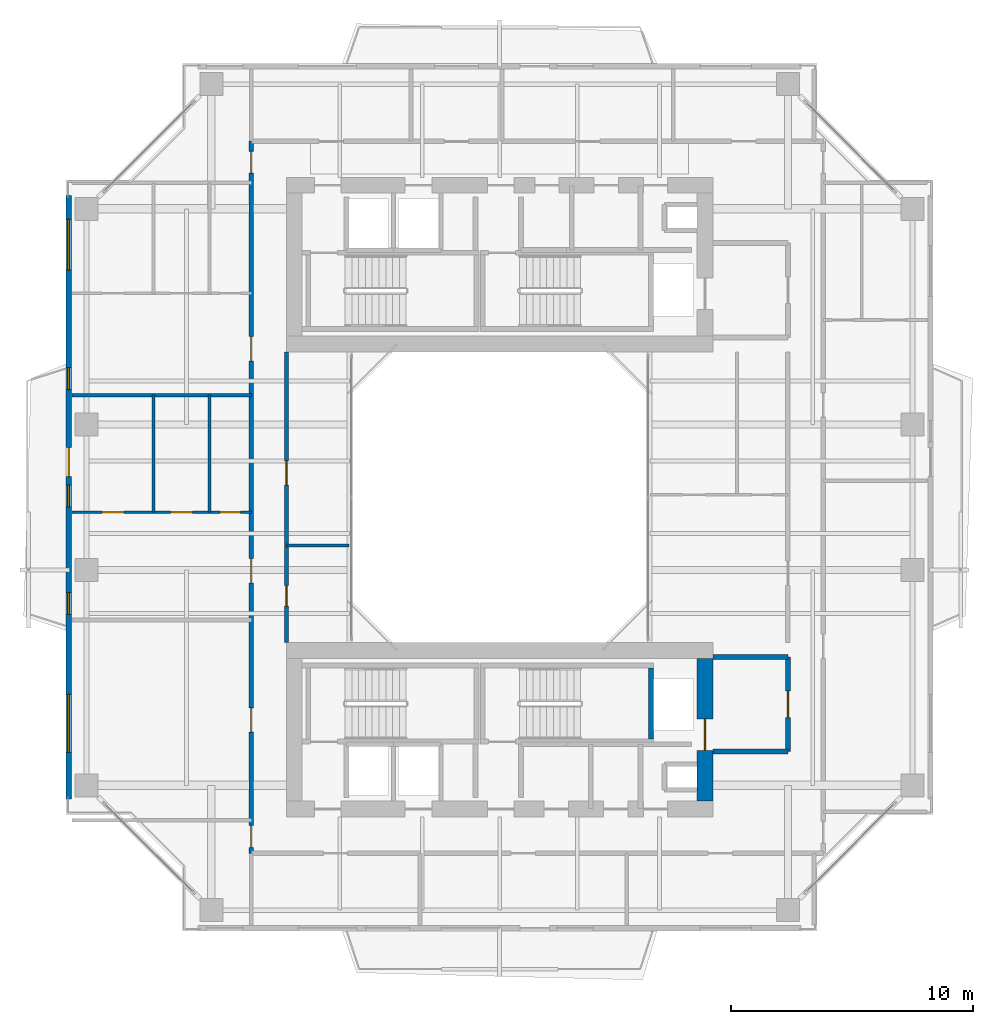
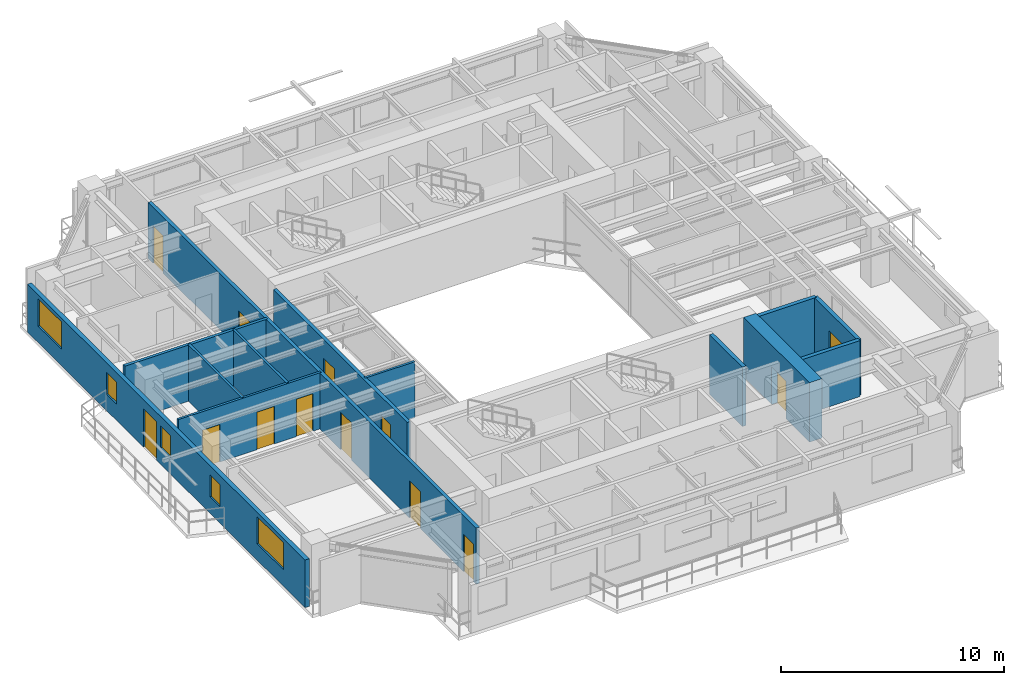
# One storey, part 11 of 17: 13 doors, 13 walls, 5 windows, 18 openings.
"""IFC4 building model written with IfcOpenShell, lengths in metres."""

from ifc_helpers import new_model, si_unit, direction, frame, frame_2d, origin, place, context, subcontext, project, spatial, rectangle, extrude, source, transform, mapped, material, layer, layer_set, type_object, element, fill, save


model = new_model("IFC4")

# Units and contexts
model_context = context("Model", 3, precision=1e-05, world=origin(), true_north=direction((0.0, 1.0)))
body_context = subcontext(model_context, "Body", "Model", "MODEL_VIEW")
ifc_project = project(units=[si_unit("LENGTHUNIT", "METRE"), si_unit("AREAUNIT", "SQUARE_METRE"), si_unit("VOLUMEUNIT", "CUBIC_METRE"), si_unit("PLANEANGLEUNIT", "RADIAN"), si_unit("MASSUNIT", "GRAM", prefix="KILO"), si_unit("THERMODYNAMICTEMPERATUREUNIT", "KELVIN"), si_unit("POWERUNIT", "WATT")], contexts=[model_context])

# Site, building, storey
site_placement = place(None, origin())
site = spatial("IfcSite", under=ifc_project, at=site_placement, CompositionType="ELEMENT")
building_placement = place(site_placement, origin())
building = spatial("IfcBuilding", under=site, at=building_placement, Name="Qiaomeng Ring Towers", CompositionType="ELEMENT")
storey_placement = place(building_placement, frame((0.0, 0.0, 150.25)))
storey = spatial("IfcBuildingStorey", under=building, at=storey_placement, Name="L43", CompositionType="ELEMENT", Elevation=150.25)

# Wall, openings, windows, door
ifc_material_1 = material(Name="Precast concrete C40", Category="concrete")
ifc_layer_1 = layer(ifc_material_1, 0.219970703125, Name="Precast concrete C40")
ifc_layer_set_1 = layer_set([ifc_layer_1], Name="Precast concrete C40")
wall_type_1 = type_object("IfcWallType", Name="ARC-WL-EW2", PredefinedType="STANDARD", material=ifc_layer_set_1)
wall_1_placement = place(storey_placement, frame((1.2099609375, 10.550048828125, 0.0), z_axis=(0.0, 0.0, 1.0), x_axis=(0.0, 1.0, 0.0)))
wall_1 = element("IfcWall", 1, at=wall_1_placement, inside=storey, type_object=wall_type_1, Name="L43 Tower 1 W Exterior Wall", PredefinedType="STANDARD", context=body_context, shape_type="SweptSolid", body=[
    extrude(rectangle(XDim=24.89990234375, YDim=0.219970703125, at=frame_2d((12.449951171875, 0.0))), origin(), (0.0, 0.0, 1.0), 2.610107421875),
])
opening_1_placement = place(wall_1_placement, frame((13.300048828125, 0.0, 0.0)))
opening_1 = element("IfcOpeningElement", 2, at=opening_1_placement, cuts=wall_1, Name="Opening BD1", PredefinedType="OPENING", context=body_context, shape_type="SweptSolid", body=[
    extrude(rectangle(XDim=1.199951171875, YDim=2.10009765625, at=frame_2d((0.60009765625, 1.050048828125))), frame((0.0, 0.119873046875, 0.0), z_axis=(0.0, -1.0, 0.0), x_axis=(1.0, 0.0, 0.0)), (0.0, 0.0, 1.0), 0.239990234375),
])
opening_2_placement = place(wall_1_placement, frame((1.912109375, 0.0, 0.89990234375)))
opening_2 = element("IfcOpeningElement", 3, at=opening_2_placement, cuts=wall_1, Name="Opening WN6", PredefinedType="OPENING", context=body_context, shape_type="SweptSolid", body=[
    extrude(rectangle(XDim=2.39990234375, YDim=1.47998046875, at=frame_2d((1.199951171875, 0.739990234375))), frame((0.0, 0.119873046875, 0.0), z_axis=(0.0, -1.0, 0.0), x_axis=(1.0, 0.0, 0.0)), (0.0, 0.0, 1.0), 0.239990234375),
])
opening_3_placement = place(wall_1_placement, frame((21.820068359375, 0.0, 0.89990234375)))
opening_3 = element("IfcOpeningElement", 4, at=opening_3_placement, cuts=wall_1, Name="Opening WN4", PredefinedType="OPENING", context=body_context, shape_type="SweptSolid", body=[
    extrude(rectangle(XDim=2.10009765625, YDim=1.5, at=frame_2d((1.050048828125, 0.75))), frame((0.0, 0.119873046875, 0.0), z_axis=(0.0, -1.0, 0.0), x_axis=(1.0, 0.0, 0.0)), (0.0, 0.0, 1.0), 0.239990234375),
])
opening_4_placement = place(wall_1_placement, frame((12.050048828125, 0.0, 0.89990234375)))
opening_4 = element("IfcOpeningElement", 5, at=opening_4_placement, cuts=wall_1, Name="Opening WN5", PredefinedType="OPENING", context=body_context, shape_type="SweptSolid", body=[
    extrude(rectangle(XDim=0.89990234375, YDim=1.199951171875, at=frame_2d((0.449951171875, 0.60009765625))), frame((0.0, 0.119873046875, 0.0), z_axis=(0.0, -1.0, 0.0), x_axis=(1.0, 0.0, 0.0)), (0.0, 0.0, 1.0), 0.239990234375),
])
opening_5_placement = place(wall_1_placement, frame((7.614990234375, 0.0, 0.89990234375)))
opening_5 = element("IfcOpeningElement", 6, at=opening_5_placement, cuts=wall_1, Name="Opening WN5", PredefinedType="OPENING", context=body_context, shape_type="SweptSolid", body=[
    extrude(rectangle(XDim=0.89990234375, YDim=1.199951171875, at=frame_2d((0.449951171875, 0.60009765625))), frame((0.0, 0.119873046875, 0.0), z_axis=(0.0, -1.0, 0.0), x_axis=(1.0, 0.0, 0.0)), (0.0, 0.0, 1.0), 0.239990234375),
])
opening_6_placement = place(wall_1_placement, frame((16.89501953125, 0.0, 0.89990234375)))
opening_6 = element("IfcOpeningElement", 7, at=opening_6_placement, cuts=wall_1, Name="Opening WN5", PredefinedType="OPENING", context=body_context, shape_type="SweptSolid", body=[
    extrude(rectangle(XDim=0.89990234375, YDim=1.199951171875, at=frame_2d((0.449951171875, 0.60009765625))), frame((0.0, 0.119873046875, 0.0), z_axis=(0.0, -1.0, 0.0), x_axis=(1.0, 0.0, 0.0)), (0.0, 0.0, 1.0), 0.239990234375),
])
ifc_material_2 = material(Name="Low-E dark-grey laminated double glazing", Category="glass")
window_type_1 = type_object("IfcWindowType", Name="ARC-WN-4", PartitioningType="TRIPLE_PANEL_VERTICAL", PredefinedType="WINDOW", material=ifc_material_2)
shared_shape_1 = source(origin(), body_context, "Body", "SweptSolid", [
    extrude(rectangle(XDim=2.10009765625, YDim=1.5, at=frame_2d((1.050048828125, 0.75))), frame((0.0, 0.030029296875, 0.0), z_axis=(0.0, -1.0, 0.0), x_axis=(1.0, 0.0, 0.0)), (0.0, 0.0, 1.0), 0.06005859375),
])
window_1_placement = place(opening_3_placement, origin())
window_1 = element("IfcWindow", 8, at=window_1_placement, inside=storey, type_object=window_type_1, Name="L43 Exterior Window WN4", OverallHeight=1.5, OverallWidth=2.10009765625, PartitioningType="TRIPLE_PANEL_VERTICAL", PredefinedType="WINDOW", context=body_context, shape_type="MappedRepresentation", body=[
    mapped(shared_shape_1, transform((0.0, 0.0, 0.0), x_axis=(1.0, 0.0, 0.0), y_axis=(0.0, 1.0, 0.0), z_axis=(0.0, 0.0, 1.0), scale=1.0)),
])
fill(opening_3, window_1)
window_type_2 = type_object("IfcWindowType", Name="ARC-WN-6", PartitioningType="TRIPLE_PANEL_VERTICAL", PredefinedType="WINDOW", material=ifc_material_2)
shared_shape_2 = source(origin(), body_context, "Body", "SweptSolid", [
    extrude(rectangle(XDim=2.39990234375, YDim=1.47998046875, at=frame_2d((1.199951171875, 0.739990234375))), frame((0.0, 0.030029296875, 0.0), z_axis=(0.0, -1.0, 0.0), x_axis=(1.0, 0.0, 0.0)), (0.0, 0.0, 1.0), 0.06005859375),
])
window_2_placement = place(opening_2_placement, origin())
window_2 = element("IfcWindow", 9, at=window_2_placement, inside=storey, type_object=window_type_2, Name="L43 Exterior Window WN6", OverallHeight=1.47998046875, OverallWidth=2.39990234375, PartitioningType="TRIPLE_PANEL_VERTICAL", PredefinedType="WINDOW", context=body_context, shape_type="MappedRepresentation", body=[
    mapped(shared_shape_2, transform((0.0, 0.0, 0.0), x_axis=(1.0, 0.0, 0.0), y_axis=(0.0, 1.0, 0.0), z_axis=(0.0, 0.0, 1.0), scale=1.0)),
])
fill(opening_2, window_2)
door_type_1 = type_object("IfcDoorType", Name="ARC-DR-BD1", OperationType="NOTDEFINED", PredefinedType="DOOR", material=ifc_material_2)
shared_shape_3 = source(origin(), body_context, "Body", "SweptSolid", [
    extrude(rectangle(XDim=1.199951171875, YDim=2.10009765625, at=frame_2d((0.60009765625, 1.050048828125))), frame((0.0, 0.02490234375, 0.0), z_axis=(0.0, -1.0, 0.0), x_axis=(1.0, 0.0, 0.0)), (0.0, 0.0, 1.0), 0.050048828125),
])
door_1_placement = place(opening_1_placement, frame((1.199951171875, 0.0, 0.0), z_axis=(0.0, 0.0, 1.0), x_axis=(-1.0, 0.0, 0.0)))
door_1 = element("IfcDoor", 10, at=door_1_placement, inside=storey, type_object=door_type_1, Name="L43 W Balcony Glazed Door", OperationType="SINGLE_SWING_LEFT", OverallHeight=2.10009765625, OverallWidth=1.199951171875, PredefinedType="DOOR", context=body_context, shape_type="MappedRepresentation", body=[
    mapped(shared_shape_3, transform((0.0, 0.0, 0.0), x_axis=(1.0, 0.0, 0.0), y_axis=(0.0, 1.0, 0.0), z_axis=(0.0, 0.0, 1.0), scale=1.0)),
])
fill(opening_1, door_1)
window_type_3 = type_object("IfcWindowType", Name="ARC-WN-5", PartitioningType="SINGLE_PANEL", PredefinedType="WINDOW", material=ifc_material_2)
shared_shape_4 = source(origin(), body_context, "Body", "SweptSolid", [
    extrude(rectangle(XDim=0.89990234375, YDim=1.199951171875, at=frame_2d((0.449951171875, 0.60009765625))), frame((0.0, 0.030029296875, 0.0), z_axis=(0.0, -1.0, 0.0), x_axis=(1.0, 0.0, 0.0)), (0.0, 0.0, 1.0), 0.06005859375),
])
window_3_placement = place(opening_4_placement, origin())
window_3 = element("IfcWindow", 11, at=window_3_placement, inside=storey, type_object=window_type_3, Name="L43 Exterior Window WN5", OverallHeight=1.199951171875, OverallWidth=0.89990234375, PartitioningType="SINGLE_PANEL", PredefinedType="WINDOW", context=body_context, shape_type="MappedRepresentation", body=[
    mapped(shared_shape_4, transform((0.0, 0.0, 0.0), x_axis=(1.0, 0.0, 0.0), y_axis=(0.0, 1.0, 0.0), z_axis=(0.0, 0.0, 1.0), scale=1.0)),
])
fill(opening_4, window_3)
window_4_placement = place(opening_5_placement, origin())
window_4 = element("IfcWindow", 12, at=window_4_placement, inside=storey, type_object=window_type_3, Name="L43 Exterior Window WN5", OverallHeight=1.199951171875, OverallWidth=0.89990234375, PartitioningType="SINGLE_PANEL", PredefinedType="WINDOW", context=body_context, shape_type="MappedRepresentation", body=[
    mapped(shared_shape_4, transform((0.0, 0.0, 0.0), x_axis=(1.0, 0.0, 0.0), y_axis=(0.0, 1.0, 0.0), z_axis=(0.0, 0.0, 1.0), scale=1.0)),
])
fill(opening_5, window_4)
window_5_placement = place(opening_6_placement, origin())
window_5 = element("IfcWindow", 13, at=window_5_placement, inside=storey, type_object=window_type_3, Name="L43 Exterior Window WN5", OverallHeight=1.199951171875, OverallWidth=0.89990234375, PartitioningType="SINGLE_PANEL", PredefinedType="WINDOW", context=body_context, shape_type="MappedRepresentation", body=[
    mapped(shared_shape_4, transform((0.0, 0.0, 0.0), x_axis=(1.0, 0.0, 0.0), y_axis=(0.0, 1.0, 0.0), z_axis=(0.0, 0.0, 1.0), scale=1.0)),
])
fill(opening_6, window_5)

# Walls
ifc_material_3 = material(Name="Autoclaved aerated concrete block", Category="concrete")
ifc_layer_2 = layer(ifc_material_3, 0.199951171875, Name="Autoclaved aerated concrete block")
ifc_layer_set_2 = layer_set([ifc_layer_2], Name="Autoclaved aerated concrete block")
wall_type_2 = type_object("IfcWallType", Name="ARC-WL-PW1", PredefinedType="PARTITIONING", material=ifc_layer_set_2)
for number, where, z_axis, x_axis, name in (
    (14, (27.800048828125, 16.39990234375, 0.0), (0.0, 0.0, 1.0), (1.0, 0.0, 0.0), "L43 Interior Wall PW1"),
    (15, (27.800048828125, 12.5, 0.0), (0.0, 0.0, 1.0), (1.0, 0.0, 0.0), "L43 Interior Wall PW1"),
):
    element("IfcWall", number, at=place(storey_placement, frame(where, z_axis=z_axis, x_axis=x_axis)), inside=storey, type_object=wall_type_2, Name=name, PredefinedType="PARTITIONING", context=body_context, shape_type="SweptSolid", body=[
        extrude(rectangle(XDim=3.099853515625, YDim=0.199951171875, at=frame_2d((1.5498046875, 0.0))), origin(), (0.0, 0.0, 1.0), 3.070068359375),
    ])

# Wall, opening, door
wall_2_placement = place(storey_placement, frame((30.89990234375, 12.5, 0.0), z_axis=(0.0, 0.0, 1.0), x_axis=(0.0, 1.0, 0.0)))
wall_2 = element("IfcWall", 16, at=wall_2_placement, inside=storey, type_object=wall_type_2, Name="L43 Interior Wall PW1", PredefinedType="PARTITIONING", context=body_context, shape_type="SweptSolid", body=[
    extrude(rectangle(XDim=3.89990234375, YDim=0.199951171875, at=frame_2d((1.949951171875, 0.0))), origin(), (0.0, 0.0, 1.0), 3.070068359375),
])
opening_7_placement = place(wall_2_placement, frame((1.39990234375, 0.0, 0.0)))
opening_7 = element("IfcOpeningElement", 17, at=opening_7_placement, cuts=wall_2, Name="Opening FD3", PredefinedType="OPENING", context=body_context, shape_type="SweptSolid", body=[
    extrude(rectangle(XDim=1.10009765625, YDim=2.050048828125, at=frame_2d((0.550048828125, 1.02490234375))), frame((0.0, 0.10986328125, 0.0), z_axis=(0.0, -1.0, 0.0), x_axis=(1.0, 0.0, 0.0)), (0.0, 0.0, 1.0), 0.219970703125),
])
ifc_material_4 = material(Name="Galvanised steel", Category="steel")
door_type_2 = type_object("IfcDoorType", Name="ARC-DR-FD3", OperationType="NOTDEFINED", PredefinedType="DOOR", material=ifc_material_4)
shared_shape_5 = source(origin(), body_context, "Body", "SweptSolid", [
    extrude(rectangle(XDim=1.10009765625, YDim=2.050048828125, at=frame_2d((0.550048828125, 1.02490234375))), frame((0.0, 0.02490234375, 0.0), z_axis=(0.0, -1.0, 0.0), x_axis=(1.0, 0.0, 0.0)), (0.0, 0.0, 1.0), 0.050048828125),
])
door_2_placement = place(opening_7_placement, origin())
door_2 = element("IfcDoor", 18, at=door_2_placement, inside=storey, type_object=door_type_2, Name="L43 South FF Lobby Door", OperationType="SINGLE_SWING_LEFT", OverallHeight=2.050048828125, OverallWidth=1.10009765625, PredefinedType="DOOR", context=body_context, shape_type="MappedRepresentation", body=[
    mapped(shared_shape_5, transform((0.0, 0.0, 0.0), x_axis=(1.0, 0.0, 0.0), y_axis=(0.0, 1.0, 0.0), z_axis=(0.0, 0.0, 1.0), scale=1.0)),
])
fill(opening_7, door_2)

# Wall, openings, doors
ifc_layer_3 = layer(ifc_material_3, 0.179931640625, Name="Autoclaved aerated concrete block")
ifc_layer_set_3 = layer_set([ifc_layer_3], Name="Autoclaved aerated concrete block")
wall_type_3 = type_object("IfcWallType", Name="ARC-WL-PW2", PredefinedType="PARTITIONING", material=ifc_layer_set_3)
wall_3_placement = place(storey_placement, frame((8.75, 8.300048828125, 0.0), z_axis=(0.0, 0.0, 1.0), x_axis=(0.0, 1.0, 0.0)))
wall_3 = element("IfcWall", 19, at=wall_3_placement, inside=storey, type_object=wall_type_3, Name="L43 Interior Wall PW2", PredefinedType="PARTITIONING", context=body_context, shape_type="SweptSolid", body=[
    extrude(rectangle(XDim=29.39990234375, YDim=0.179931640625, at=frame_2d((14.699951171875, 0.0))), origin(), (0.0, 0.0, 1.0), 3.070068359375),
])
opening_8_placement = place(wall_3_placement, frame((28.080078125, 0.0, 0.0)))
opening_8 = element("IfcOpeningElement", 20, at=opening_8_placement, cuts=wall_3, Name="Opening ID1", PredefinedType="OPENING", context=body_context, shape_type="SweptSolid", body=[
    extrude(rectangle(XDim=0.89990234375, YDim=2.050048828125, at=frame_2d((0.449951171875, 1.02490234375))), frame((0.0, 0.099853515625, 0.0), z_axis=(0.0, -1.0, 0.0), x_axis=(1.0, 0.0, 0.0)), (0.0, 0.0, 1.0), 0.199951171875),
])
opening_9_placement = place(wall_3_placement, frame((0.2451171875, 0.0, 0.0)))
opening_9 = element("IfcOpeningElement", 21, at=opening_9_placement, cuts=wall_3, Name="Opening ID1", PredefinedType="OPENING", context=body_context, shape_type="SweptSolid", body=[
    extrude(rectangle(XDim=0.89990234375, YDim=2.050048828125, at=frame_2d((0.449951171875, 1.02490234375))), frame((0.0, 0.099853515625, 0.0), z_axis=(0.0, -1.0, 0.0), x_axis=(1.0, 0.0, 0.0)), (0.0, 0.0, 1.0), 0.199951171875),
])
opening_10_placement = place(wall_3_placement, frame((5.0, 0.0, 0.0)))
opening_10 = element("IfcOpeningElement", 22, at=opening_10_placement, cuts=wall_3, Name="Opening FD4", PredefinedType="OPENING", context=body_context, shape_type="SweptSolid", body=[
    extrude(rectangle(XDim=1.0, YDim=2.050048828125, at=frame_2d((0.5, 1.02490234375))), frame((0.0, 0.099853515625, 0.0), z_axis=(0.0, -1.0, 0.0), x_axis=(1.0, 0.0, 0.0)), (0.0, 0.0, 1.0), 0.199951171875),
])
opening_11_placement = place(wall_3_placement, frame((11.1650390625, 0.0, 0.0)))
opening_11 = element("IfcOpeningElement", 23, at=opening_11_placement, cuts=wall_3, Name="Opening FD4", PredefinedType="OPENING", context=body_context, shape_type="SweptSolid", body=[
    extrude(rectangle(XDim=1.0, YDim=2.050048828125, at=frame_2d((0.5, 1.02490234375))), frame((0.0, 0.099853515625, 0.0), z_axis=(0.0, -1.0, 0.0), x_axis=(1.0, 0.0, 0.0)), (0.0, 0.0, 1.0), 0.199951171875),
])
opening_12_placement = place(wall_3_placement, frame((20.324951171875, 0.0, 0.0)))
opening_12 = element("IfcOpeningElement", 24, at=opening_12_placement, cuts=wall_3, Name="Opening FD4", PredefinedType="OPENING", context=body_context, shape_type="SweptSolid", body=[
    extrude(rectangle(XDim=1.0, YDim=2.050048828125, at=frame_2d((0.5, 1.02490234375))), frame((0.0, 0.099853515625, 0.0), z_axis=(0.0, -1.0, 0.0), x_axis=(1.0, 0.0, 0.0)), (0.0, 0.0, 1.0), 0.199951171875),
])
ifc_material_5 = material(Name="Engineered fire-rated oak timber", Category="wood")
door_type_3 = type_object("IfcDoorType", Name="ARC-DR-FD4", OperationType="NOTDEFINED", PredefinedType="DOOR", material=ifc_material_5)
shared_shape_6 = source(origin(), body_context, "Body", "SweptSolid", [
    extrude(rectangle(XDim=1.0, YDim=2.050048828125, at=frame_2d((0.5, 1.02490234375))), frame((0.0, 0.02490234375, 0.0), z_axis=(0.0, -1.0, 0.0), x_axis=(1.0, 0.0, 0.0)), (0.0, 0.0, 1.0), 0.050048828125),
])
door_3_placement = place(opening_10_placement, origin())
door_3 = element("IfcDoor", 25, at=door_3_placement, inside=storey, type_object=door_type_3, Name="L43 Door FD4", OperationType="SINGLE_SWING_LEFT", OverallHeight=2.050048828125, OverallWidth=1.0, PredefinedType="DOOR", context=body_context, shape_type="MappedRepresentation", body=[
    mapped(shared_shape_6, transform((0.0, 0.0, 0.0), x_axis=(1.0, 0.0, 0.0), y_axis=(0.0, 1.0, 0.0), z_axis=(0.0, 0.0, 1.0), scale=1.0)),
])
fill(opening_10, door_3)
door_4_placement = place(opening_11_placement, origin())
door_4 = element("IfcDoor", 26, at=door_4_placement, inside=storey, type_object=door_type_3, Name="L43 Door FD4", OperationType="SINGLE_SWING_LEFT", OverallHeight=2.050048828125, OverallWidth=1.0, PredefinedType="DOOR", context=body_context, shape_type="MappedRepresentation", body=[
    mapped(shared_shape_6, transform((0.0, 0.0, 0.0), x_axis=(1.0, 0.0, 0.0), y_axis=(0.0, 1.0, 0.0), z_axis=(0.0, 0.0, 1.0), scale=1.0)),
])
fill(opening_11, door_4)
door_5_placement = place(opening_12_placement, origin())
door_5 = element("IfcDoor", 27, at=door_5_placement, inside=storey, type_object=door_type_3, Name="L43 Door FD4", OperationType="SINGLE_SWING_LEFT", OverallHeight=2.050048828125, OverallWidth=1.0, PredefinedType="DOOR", context=body_context, shape_type="MappedRepresentation", body=[
    mapped(shared_shape_6, transform((0.0, 0.0, 0.0), x_axis=(1.0, 0.0, 0.0), y_axis=(0.0, 1.0, 0.0), z_axis=(0.0, 0.0, 1.0), scale=1.0)),
])
fill(opening_12, door_5)
ifc_material_6 = material(Name="Engineered oak timber", Category="wood")
door_type_4 = type_object("IfcDoorType", Name="ARC-DR-ID1", OperationType="NOTDEFINED", PredefinedType="DOOR", material=ifc_material_6)
shared_shape_7 = source(origin(), body_context, "Body", "SweptSolid", [
    extrude(rectangle(XDim=0.89990234375, YDim=2.050048828125, at=frame_2d((0.449951171875, 1.02490234375))), frame((0.0, 0.02490234375, 0.0), z_axis=(0.0, -1.0, 0.0), x_axis=(1.0, 0.0, 0.0)), (0.0, 0.0, 1.0), 0.050048828125),
])
door_6_placement = place(opening_8_placement, origin())
door_6 = element("IfcDoor", 28, at=door_6_placement, inside=storey, type_object=door_type_4, Name="L43 Door ID1", OperationType="SINGLE_SWING_LEFT", OverallHeight=2.050048828125, OverallWidth=0.89990234375, PredefinedType="DOOR", context=body_context, shape_type="MappedRepresentation", body=[
    mapped(shared_shape_7, transform((0.0, 0.0, 0.0), x_axis=(1.0, 0.0, 0.0), y_axis=(0.0, 1.0, 0.0), z_axis=(0.0, 0.0, 1.0), scale=1.0)),
])
fill(opening_8, door_6)
door_7_placement = place(opening_9_placement, origin())
door_7 = element("IfcDoor", 29, at=door_7_placement, inside=storey, type_object=door_type_4, Name="L43 Door ID1", OperationType="SINGLE_SWING_RIGHT", OverallHeight=2.050048828125, OverallWidth=0.89990234375, PredefinedType="DOOR", context=body_context, shape_type="MappedRepresentation", body=[
    mapped(shared_shape_7, transform((0.0, 0.0, 0.0), x_axis=(1.0, 0.0, 0.0), y_axis=(0.0, 1.0, 0.0), z_axis=(0.0, 0.0, 1.0), scale=1.0)),
])
fill(opening_9, door_7)

wall_4_placement = place(storey_placement, frame((10.199951171875, 17.0, 0.0), z_axis=(0.0, 0.0, 1.0), x_axis=(0.0, 1.0, 0.0)))
wall_4 = element("IfcWall", 30, at=wall_4_placement, inside=storey, type_object=wall_type_3, Name="L43 Interior Wall PW2", PredefinedType="PARTITIONING", context=body_context, shape_type="SweptSolid", body=[
    extrude(rectangle(XDim=12.0, YDim=0.179931640625, at=frame_2d((6.0, 0.0))), origin(), (0.0, 0.0, 1.0), 3.070068359375),
])
opening_13_placement = place(wall_4_placement, frame((1.5, 0.0, 0.0)))
opening_13 = element("IfcOpeningElement", 31, at=opening_13_placement, cuts=wall_4, Name="Opening ID2", PredefinedType="OPENING", context=body_context, shape_type="SweptSolid", body=[
    extrude(rectangle(XDim=0.85009765625, YDim=2.050048828125, at=frame_2d((0.425048828125, 1.02490234375))), frame((0.0, 0.099853515625, 0.0), z_axis=(0.0, -1.0, 0.0), x_axis=(1.0, 0.0, 0.0)), (0.0, 0.0, 1.0), 0.199951171875),
])
opening_14_placement = place(wall_4_placement, frame((6.5, 0.0, 0.0)))
opening_14 = element("IfcOpeningElement", 32, at=opening_14_placement, cuts=wall_4, Name="Opening FD4", PredefinedType="OPENING", context=body_context, shape_type="SweptSolid", body=[
    extrude(rectangle(XDim=1.0, YDim=2.050048828125, at=frame_2d((0.5, 1.02490234375))), frame((0.0, 0.099853515625, 0.0), z_axis=(0.0, -1.0, 0.0), x_axis=(1.0, 0.0, 0.0)), (0.0, 0.0, 1.0), 0.199951171875),
])
door_8_placement = place(opening_14_placement, origin())
door_8 = element("IfcDoor", 33, at=door_8_placement, inside=storey, type_object=door_type_3, Name="L43 Door FD4", OperationType="SINGLE_SWING_LEFT", OverallHeight=2.050048828125, OverallWidth=1.0, PredefinedType="DOOR", context=body_context, shape_type="MappedRepresentation", body=[
    mapped(shared_shape_6, transform((0.0, 0.0, 0.0), x_axis=(1.0, 0.0, 0.0), y_axis=(0.0, 1.0, 0.0), z_axis=(0.0, 0.0, 1.0), scale=1.0)),
])
fill(opening_14, door_8)
ifc_material_7 = material(Name="Moisture-resistant engineered timber", Category="wood")
door_type_5 = type_object("IfcDoorType", Name="ARC-DR-ID2", OperationType="NOTDEFINED", PredefinedType="DOOR", material=ifc_material_7)
shared_shape_8 = source(origin(), body_context, "Body", "SweptSolid", [
    extrude(rectangle(XDim=0.85009765625, YDim=2.050048828125, at=frame_2d((0.425048828125, 1.02490234375))), frame((0.0, 0.02490234375, 0.0), z_axis=(0.0, -1.0, 0.0), x_axis=(1.0, 0.0, 0.0)), (0.0, 0.0, 1.0), 0.050048828125),
])
door_9_placement = place(opening_13_placement, origin())
door_9 = element("IfcDoor", 34, at=door_9_placement, inside=storey, type_object=door_type_5, Name="L43 Door ID2", OperationType="SINGLE_SWING_RIGHT", OverallHeight=2.050048828125, OverallWidth=0.85009765625, PredefinedType="DOOR", context=body_context, shape_type="MappedRepresentation", body=[
    mapped(shared_shape_8, transform((0.0, 0.0, 0.0), x_axis=(1.0, 0.0, 0.0), y_axis=(0.0, 1.0, 0.0), z_axis=(0.0, 0.0, 1.0), scale=1.0)),
])
fill(opening_13, door_9)

# Wall
ifc_material_8 = material(Name="Gypsum fireboard steel-stud partition", Category="steel")
ifc_layer_4 = layer(ifc_material_8, 0.14990234375, Name="Gypsum fireboard steel-stud partition")
ifc_layer_set_4 = layer_set([ifc_layer_4], Name="Gypsum fireboard steel-stud partition")
wall_type_4 = type_object("IfcWallType", Name="ARC-WL-PW3", PredefinedType="PARTITIONING", material=ifc_layer_set_4)
wall_5_placement = place(storey_placement, frame((1.35009765625, 27.2099609375, 0.0), z_axis=(0.0, 0.0, 1.0), x_axis=(1.0, 0.0, 0.0)))
element("IfcWall", 35, at=wall_5_placement, inside=storey, type_object=wall_type_4, Name="L43 Interior Wall PW3", PredefinedType="PARTITIONING", context=body_context, shape_type="SweptSolid", body=[
    extrude(rectangle(XDim=7.39990234375, YDim=0.14990234375, at=frame_2d((3.699951171875, 0.0))), origin(), (0.0, 0.0, 1.0), 3.070068359375),
])

# Wall, openings, doors
ifc_material_9 = material(Name="Moisture-resistant gypsum steel-stud partition", Category="steel")
ifc_layer_5 = layer(ifc_material_9, 0.1201171875, Name="Moisture-resistant gypsum steel-stud partition")
ifc_layer_set_5 = layer_set([ifc_layer_5], Name="Moisture-resistant gypsum steel-stud partition")
wall_type_5 = type_object("IfcWallType", Name="ARC-WL-PW4", PredefinedType="PLUMBINGWALL", material=ifc_layer_set_5)
wall_6_placement = place(storey_placement, frame((1.35009765625, 22.3798828125, 0.0), z_axis=(0.0, 0.0, 1.0), x_axis=(1.0, 0.0, 0.0)))
wall_6 = element("IfcWall", 36, at=wall_6_placement, inside=storey, type_object=wall_type_5, Name="L43 Interior Wall PW4", PredefinedType="PLUMBINGWALL", context=body_context, shape_type="SweptSolid", body=[
    extrude(rectangle(XDim=7.39990234375, YDim=0.1201171875, at=frame_2d((3.699951171875, 0.0))), origin(), (0.0, 0.0, 1.0), 3.070068359375),
])
opening_15_placement = place(wall_6_placement, frame((1.239990234375, 0.0, 0.0)))
opening_15 = element("IfcOpeningElement", 37, at=opening_15_placement, cuts=wall_6, Name="Opening ID1", PredefinedType="OPENING", context=body_context, shape_type="SweptSolid", body=[
    extrude(rectangle(XDim=0.89990234375, YDim=2.050048828125, at=frame_2d((0.449951171875, 1.02490234375))), frame((0.0, 0.070068359375, 0.0), z_axis=(0.0, -1.0, 0.0), x_axis=(1.0, 0.0, 0.0)), (0.0, 0.0, 1.0), 0.14013671875),
])
opening_16_placement = place(wall_6_placement, frame((4.070068359375, 0.0, 0.0)))
opening_16 = element("IfcOpeningElement", 38, at=opening_16_placement, cuts=wall_6, Name="Opening ID1", PredefinedType="OPENING", context=body_context, shape_type="SweptSolid", body=[
    extrude(rectangle(XDim=0.89990234375, YDim=2.050048828125, at=frame_2d((0.449951171875, 1.02490234375))), frame((0.0, 0.070068359375, 0.0), z_axis=(0.0, -1.0, 0.0), x_axis=(1.0, 0.0, 0.0)), (0.0, 0.0, 1.0), 0.14013671875),
])
opening_17_placement = place(wall_6_placement, frame((6.10498046875, 0.0, 0.0)))
opening_17 = element("IfcOpeningElement", 39, at=opening_17_placement, cuts=wall_6, Name="Opening ID2", PredefinedType="OPENING", context=body_context, shape_type="SweptSolid", body=[
    extrude(rectangle(XDim=0.85009765625, YDim=2.050048828125, at=frame_2d((0.425048828125, 1.02490234375))), frame((0.0, 0.070068359375, 0.0), z_axis=(0.0, -1.0, 0.0), x_axis=(1.0, 0.0, 0.0)), (0.0, 0.0, 1.0), 0.14013671875),
])
door_10_placement = place(opening_17_placement, origin())
door_10 = element("IfcDoor", 40, at=door_10_placement, inside=storey, type_object=door_type_5, Name="L43 Door ID2", OperationType="SINGLE_SWING_RIGHT", OverallHeight=2.050048828125, OverallWidth=0.85009765625, PredefinedType="DOOR", context=body_context, shape_type="MappedRepresentation", body=[
    mapped(shared_shape_8, transform((0.0, 0.0, 0.0), x_axis=(1.0, 0.0, 0.0), y_axis=(0.0, 1.0, 0.0), z_axis=(0.0, 0.0, 1.0), scale=1.0)),
])
fill(opening_17, door_10)
door_11_placement = place(opening_15_placement, origin())
door_11 = element("IfcDoor", 41, at=door_11_placement, inside=storey, type_object=door_type_4, Name="L43 Door ID1", OperationType="SINGLE_SWING_RIGHT", OverallHeight=2.050048828125, OverallWidth=0.89990234375, PredefinedType="DOOR", context=body_context, shape_type="MappedRepresentation", body=[
    mapped(shared_shape_7, transform((0.0, 0.0, 0.0), x_axis=(1.0, 0.0, 0.0), y_axis=(0.0, 1.0, 0.0), z_axis=(0.0, 0.0, 1.0), scale=1.0)),
])
fill(opening_15, door_11)
door_12_placement = place(opening_16_placement, origin())
door_12 = element("IfcDoor", 42, at=door_12_placement, inside=storey, type_object=door_type_4, Name="L43 Door ID1", OperationType="SINGLE_SWING_LEFT", OverallHeight=2.050048828125, OverallWidth=0.89990234375, PredefinedType="DOOR", context=body_context, shape_type="MappedRepresentation", body=[
    mapped(shared_shape_7, transform((0.0, 0.0, 0.0), x_axis=(1.0, 0.0, 0.0), y_axis=(0.0, 1.0, 0.0), z_axis=(0.0, 0.0, 1.0), scale=1.0)),
])
fill(opening_16, door_12)

# Walls
for number, where, z_axis, x_axis, name in (
    (43, (4.7099609375, 22.3798828125, 0.0), (0.0, 0.0, 1.0), (0.0, 1.0, 0.0), "L43 Interior Wall PW4"),
    (44, (7.030029296875, 22.3798828125, 0.0), (0.0, 0.0, 1.0), (0.0, 1.0, 0.0), "L43 Interior Wall PW4"),
):
    element("IfcWall", number, at=place(storey_placement, frame(where, z_axis=z_axis, x_axis=x_axis)), inside=storey, type_object=wall_type_5, Name=name, PredefinedType="PLUMBINGWALL", context=body_context, shape_type="SweptSolid", body=[
        extrude(rectangle(XDim=4.830078125, YDim=0.1201171875, at=frame_2d((2.4150390625, 0.0))), origin(), (0.0, 0.0, 1.0), 3.070068359375),
    ])
wall_7_placement = place(storey_placement, frame((10.199951171875, 21.0, 0.0), z_axis=(0.0, 0.0, 1.0), x_axis=(1.0, 0.0, 0.0)))
element("IfcWall", 45, at=wall_7_placement, inside=storey, type_object=wall_type_5, Name="L43 Interior Wall PW4", PredefinedType="PLUMBINGWALL", context=body_context, shape_type="SweptSolid", body=[
    extrude(rectangle(XDim=2.580078125, YDim=0.1201171875, at=frame_2d((1.2900390625, 0.0))), origin(), (0.0, 0.0, 1.0), 3.070068359375),
])
ifc_material_10 = material(Name="Concrete C40", Category="concrete")
ifc_layer_6 = layer(ifc_material_10, 0.199951171875, Name="Concrete C40")
ifc_layer_set_6 = layer_set([ifc_layer_6], Name="Concrete C40")
wall_type_6 = type_object("IfcWallType", Name="STR-WL-STSHAFT", PredefinedType="SHEAR", material=ifc_layer_set_6)
wall_8_placement = place(storey_placement, frame((25.25, 13.010009765625, 0.0), z_axis=(0.0, 0.0, 1.0), x_axis=(0.0, 1.0, 0.0)))
element("IfcWall", 46, at=wall_8_placement, inside=storey, type_object=wall_type_6, Name="L43 Stair ST4 East Shaft Shear Wall", PredefinedType="SHEAR", context=body_context, shape_type="SweptSolid", body=[
    extrude(rectangle(XDim=2.93994140625, YDim=0.199951171875, at=frame_2d((1.469970703125, 0.0))), origin(), (0.0, 0.0, 1.0), 3.25),
])

# Wall, opening, door
ifc_material_11 = material(Name="Concrete C50", Category="concrete")
ifc_layer_7 = layer(ifc_material_11, 0.64990234375, Name="Concrete C50")
ifc_layer_set_7 = layer_set([ifc_layer_7], Name="Concrete C50")
wall_type_7 = type_object("IfcWallType", Name="STR-WL-SW2B", PredefinedType="SHEAR", material=ifc_layer_set_7)
wall_9_placement = place(storey_placement, frame((27.47509765625, 10.449951171875, 0.0), z_axis=(0.0, 0.0, 1.0), x_axis=(0.0, 1.0, 0.0)))
wall_9 = element("IfcWall", 47, at=wall_9_placement, inside=storey, type_object=wall_type_7, Name="L43 T1SC east core shear wall", PredefinedType="SHEAR", context=body_context, shape_type="SweptSolid", body=[
    extrude(rectangle(XDim=5.900146484375, YDim=0.64990234375, at=frame_2d((2.9501953125, 0.0))), origin(), (0.0, 0.0, 1.0), 3.25),
])
opening_18_placement = place(wall_9_placement, frame((2.10009765625, 0.0, 0.0)))
opening_18 = element("IfcOpeningElement", 48, at=opening_18_placement, cuts=wall_9, Name="Opening LD2", PredefinedType="OPENING", context=body_context, shape_type="SweptSolid", body=[
    extrude(rectangle(XDim=1.300048828125, YDim=2.050048828125, at=frame_2d((0.64990234375, 1.02490234375))), frame((0.0, 0.3349609375, 0.0), z_axis=(0.0, -1.0, 0.0), x_axis=(1.0, 0.0, 0.0)), (0.0, 0.0, 1.0), 0.669921875),
])
ifc_material_12 = material(Name="Stainless steel 316", Category="steel")
door_type_6 = type_object("IfcDoorType", Name="ARC-DR-LD2", OperationType="NOTDEFINED", PredefinedType="DOOR", material=ifc_material_12)
shared_shape_9 = source(origin(), body_context, "Body", "SweptSolid", [
    extrude(rectangle(XDim=1.300048828125, YDim=2.050048828125, at=frame_2d((0.64990234375, 1.02490234375))), frame((0.0, 0.02490234375, 0.0), z_axis=(0.0, -1.0, 0.0), x_axis=(1.0, 0.0, 0.0)), (0.0, 0.0, 1.0), 0.050048828125),
])
door_13_placement = place(opening_18_placement, origin())
door_13 = element("IfcDoor", 49, at=door_13_placement, inside=storey, type_object=door_type_6, Name="L43 Firefighting Lift FL2 Landing Door", OperationType="SLIDING_TO_RIGHT", OverallHeight=2.050048828125, OverallWidth=1.300048828125, PredefinedType="DOOR", context=body_context, shape_type="MappedRepresentation", body=[
    mapped(shared_shape_9, transform((0.0, 0.0, 0.0), x_axis=(1.0, 0.0, 0.0), y_axis=(0.0, 1.0, 0.0), z_axis=(0.0, 0.0, 1.0), scale=1.0)),
])
fill(opening_18, door_13)

save(model, "model.ifc")
